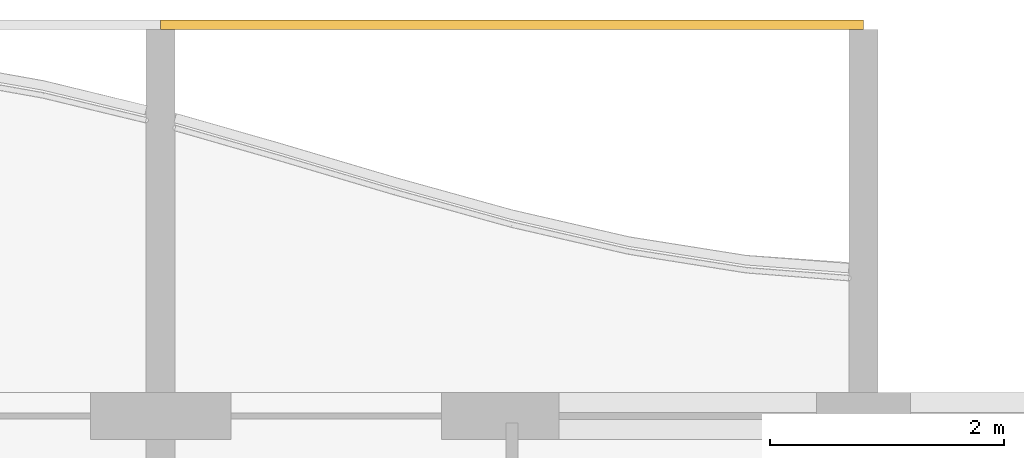
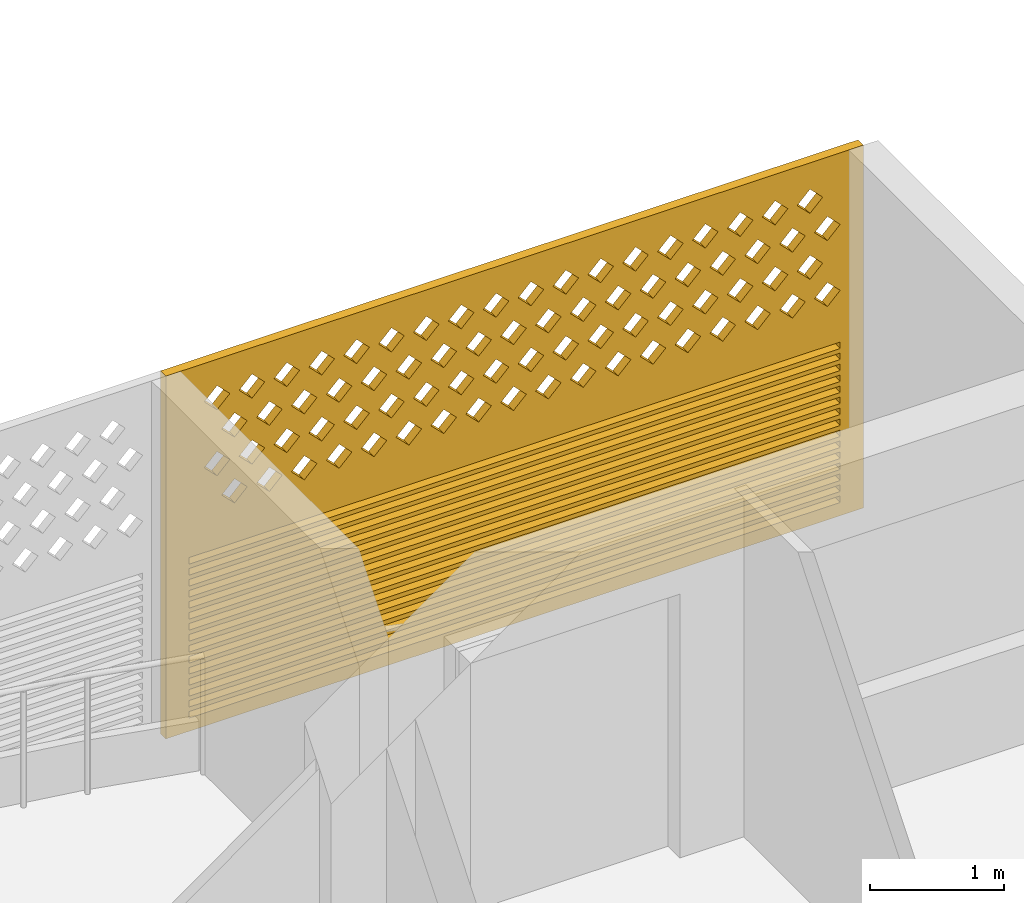
# One storey, part 21 of 27: 1 covering.
"""IFC4 building model written with IfcOpenShell, lengths in metres."""

from ifc_helpers import new_model, si_unit, direction, frame, origin, place, context, subcontext, project, spatial, polyline, outline, extrude, source, transform, mapped, material, material_profile, profile_set, type_object, element, save


model = new_model("IFC4")

# Units and contexts
model_context = context("Model", 3, precision=1e-05, world=origin(), true_north=direction((0.0, 1.0)))
body_context = subcontext(model_context, "Body", "Model", "MODEL_VIEW")
ifc_project = project(units=[si_unit("LENGTHUNIT", "METRE"), si_unit("AREAUNIT", "SQUARE_METRE"), si_unit("VOLUMEUNIT", "CUBIC_METRE"), si_unit("PLANEANGLEUNIT", "RADIAN"), si_unit("MASSUNIT", "GRAM", prefix="KILO")], contexts=[model_context])

# Site, building, storey
site_placement = place(None, origin())
site = spatial("IfcSite", under=ifc_project, at=site_placement, CompositionType="ELEMENT")
building_placement = place(site_placement, origin())
building = spatial("IfcBuilding", under=site, at=building_placement, Name="Poui Terraces", CompositionType="ELEMENT")
storey_placement = place(building_placement, frame((0.0, 0.0, 201.60009765625)))
storey = spatial("IfcBuildingStorey", under=building, at=storey_placement, Name="L56", CompositionType="ELEMENT", Elevation=201.60009765625)

# Covering
ifc_material = material(Name="Terracotta screen", Category="masonry")
ifc_material_profile = material_profile(ifc_material, outline(polyline([(-3.0, -1.64990234375), (3.0, -1.64990234375), (3.0, 1.64990234375), (-3.0, 1.64990234375), (-3.0, -1.64990234375)]), holes=[polyline([(-2.800048828125, 0.39990234375), (-2.68994140625, 0.2900390625), (-2.580078125, 0.39990234375), (-2.68994140625, 0.510009765625), (-2.800048828125, 0.39990234375)]), polyline([(-2.5, 0.39990234375), (-2.389892578125, 0.2900390625), (-2.280029296875, 0.39990234375), (-2.389892578125, 0.510009765625), (-2.5, 0.39990234375)]), polyline([(-2.199951171875, 0.39990234375), (-2.090087890625, 0.2900390625), (-1.97998046875, 0.39990234375), (-2.090087890625, 0.510009765625), (-2.199951171875, 0.39990234375)]), polyline([(-1.89990234375, 0.39990234375), (-1.7900390625, 0.2900390625), (-1.679931640625, 0.39990234375), (-1.7900390625, 0.510009765625), (-1.89990234375, 0.39990234375)]), polyline([(-1.60009765625, 0.39990234375), (-1.489990234375, 0.2900390625), (-1.3798828125, 0.39990234375), (-1.489990234375, 0.510009765625), (-1.60009765625, 0.39990234375)]), polyline([(-1.300048828125, 0.39990234375), (-1.18994140625, 0.2900390625), (-1.080078125, 0.39990234375), (-1.18994140625, 0.510009765625), (-1.300048828125, 0.39990234375)]), polyline([(-1.0, 0.39990234375), (-0.889892578125, 0.2900390625), (-0.780029296875, 0.39990234375), (-0.889892578125, 0.510009765625), (-1.0, 0.39990234375)]), polyline([(-0.699951171875, 0.39990234375), (-0.590087890625, 0.2900390625), (-0.47998046875, 0.39990234375), (-0.590087890625, 0.510009765625), (-0.699951171875, 0.39990234375)]), polyline([(-0.39990234375, 0.39990234375), (-0.2900390625, 0.2900390625), (-0.179931640625, 0.39990234375), (-0.2900390625, 0.510009765625), (-0.39990234375, 0.39990234375)]), polyline([(-0.10009765625, 0.39990234375), (0.010009765625, 0.2900390625), (0.1201171875, 0.39990234375), (0.010009765625, 0.510009765625), (-0.10009765625, 0.39990234375)]), polyline([(0.199951171875, 0.39990234375), (0.31005859375, 0.2900390625), (0.419921875, 0.39990234375), (0.31005859375, 0.510009765625), (0.199951171875, 0.39990234375)]), polyline([(0.5, 0.39990234375), (0.610107421875, 0.2900390625), (0.719970703125, 0.39990234375), (0.610107421875, 0.510009765625), (0.5, 0.39990234375)]), polyline([(0.800048828125, 0.39990234375), (0.909912109375, 0.2900390625), (1.02001953125, 0.39990234375), (0.909912109375, 0.510009765625), (0.800048828125, 0.39990234375)]), polyline([(1.10009765625, 0.39990234375), (1.2099609375, 0.2900390625), (1.320068359375, 0.39990234375), (1.2099609375, 0.510009765625), (1.10009765625, 0.39990234375)]), polyline([(1.39990234375, 0.39990234375), (1.510009765625, 0.2900390625), (1.6201171875, 0.39990234375), (1.510009765625, 0.510009765625), (1.39990234375, 0.39990234375)]), polyline([(1.699951171875, 0.39990234375), (1.81005859375, 0.2900390625), (1.919921875, 0.39990234375), (1.81005859375, 0.510009765625), (1.699951171875, 0.39990234375)]), polyline([(2.0, 0.39990234375), (2.110107421875, 0.2900390625), (2.219970703125, 0.39990234375), (2.110107421875, 0.510009765625), (2.0, 0.39990234375)]), polyline([(2.300048828125, 0.39990234375), (2.409912109375, 0.2900390625), (2.52001953125, 0.39990234375), (2.409912109375, 0.510009765625), (2.300048828125, 0.39990234375)]), polyline([(-2.64990234375, 0.699951171875), (-2.5400390625, 0.590087890625), (-2.429931640625, 0.699951171875), (-2.5400390625, 0.81005859375), (-2.64990234375, 0.699951171875)]), polyline([(-2.35009765625, 0.699951171875), (-2.239990234375, 0.590087890625), (-2.1298828125, 0.699951171875), (-2.239990234375, 0.81005859375), (-2.35009765625, 0.699951171875)]), polyline([(-2.050048828125, 0.699951171875), (-1.93994140625, 0.590087890625), (-1.830078125, 0.699951171875), (-1.93994140625, 0.81005859375), (-2.050048828125, 0.699951171875)]), polyline([(-1.75, 0.699951171875), (-1.639892578125, 0.590087890625), (-1.530029296875, 0.699951171875), (-1.639892578125, 0.81005859375), (-1.75, 0.699951171875)]), polyline([(-1.449951171875, 0.699951171875), (-1.340087890625, 0.590087890625), (-1.22998046875, 0.699951171875), (-1.340087890625, 0.81005859375), (-1.449951171875, 0.699951171875)]), polyline([(-1.14990234375, 0.699951171875), (-1.0400390625, 0.590087890625), (-0.929931640625, 0.699951171875), (-1.0400390625, 0.81005859375), (-1.14990234375, 0.699951171875)]), polyline([(-0.85009765625, 0.699951171875), (-0.739990234375, 0.590087890625), (-0.6298828125, 0.699951171875), (-0.739990234375, 0.81005859375), (-0.85009765625, 0.699951171875)]), polyline([(-0.550048828125, 0.699951171875), (-0.43994140625, 0.590087890625), (-0.330078125, 0.699951171875), (-0.43994140625, 0.81005859375), (-0.550048828125, 0.699951171875)]), polyline([(-0.25, 0.699951171875), (-0.139892578125, 0.590087890625), (-0.030029296875, 0.699951171875), (-0.139892578125, 0.81005859375), (-0.25, 0.699951171875)]), polyline([(0.050048828125, 0.699951171875), (0.159912109375, 0.590087890625), (0.27001953125, 0.699951171875), (0.159912109375, 0.81005859375), (0.050048828125, 0.699951171875)]), polyline([(0.35009765625, 0.699951171875), (0.4599609375, 0.590087890625), (0.570068359375, 0.699951171875), (0.4599609375, 0.81005859375), (0.35009765625, 0.699951171875)]), polyline([(0.64990234375, 0.699951171875), (0.760009765625, 0.590087890625), (0.8701171875, 0.699951171875), (0.760009765625, 0.81005859375), (0.64990234375, 0.699951171875)]), polyline([(0.949951171875, 0.699951171875), (1.06005859375, 0.590087890625), (1.169921875, 0.699951171875), (1.06005859375, 0.81005859375), (0.949951171875, 0.699951171875)]), polyline([(1.25, 0.699951171875), (1.360107421875, 0.590087890625), (1.469970703125, 0.699951171875), (1.360107421875, 0.81005859375), (1.25, 0.699951171875)]), polyline([(1.550048828125, 0.699951171875), (1.659912109375, 0.590087890625), (1.77001953125, 0.699951171875), (1.659912109375, 0.81005859375), (1.550048828125, 0.699951171875)]), polyline([(1.85009765625, 0.699951171875), (1.9599609375, 0.590087890625), (2.070068359375, 0.699951171875), (1.9599609375, 0.81005859375), (1.85009765625, 0.699951171875)]), polyline([(2.14990234375, 0.699951171875), (2.260009765625, 0.590087890625), (2.3701171875, 0.699951171875), (2.260009765625, 0.81005859375), (2.14990234375, 0.699951171875)]), polyline([(2.449951171875, 0.699951171875), (2.56005859375, 0.590087890625), (2.669921875, 0.699951171875), (2.56005859375, 0.81005859375), (2.449951171875, 0.699951171875)]), polyline([(-2.800048828125, 1.0), (-2.68994140625, 0.889892578125), (-2.580078125, 1.0), (-2.68994140625, 1.110107421875), (-2.800048828125, 1.0)]), polyline([(-2.5, 1.0), (-2.389892578125, 0.889892578125), (-2.280029296875, 1.0), (-2.389892578125, 1.110107421875), (-2.5, 1.0)]), polyline([(-2.199951171875, 1.0), (-2.090087890625, 0.889892578125), (-1.97998046875, 1.0), (-2.090087890625, 1.110107421875), (-2.199951171875, 1.0)]), polyline([(-1.89990234375, 1.0), (-1.7900390625, 0.889892578125), (-1.679931640625, 1.0), (-1.7900390625, 1.110107421875), (-1.89990234375, 1.0)]), polyline([(-1.60009765625, 1.0), (-1.489990234375, 0.889892578125), (-1.3798828125, 1.0), (-1.489990234375, 1.110107421875), (-1.60009765625, 1.0)]), polyline([(-1.300048828125, 1.0), (-1.18994140625, 0.889892578125), (-1.080078125, 1.0), (-1.18994140625, 1.110107421875), (-1.300048828125, 1.0)]), polyline([(-1.0, 1.0), (-0.889892578125, 0.889892578125), (-0.780029296875, 1.0), (-0.889892578125, 1.110107421875), (-1.0, 1.0)]), polyline([(-0.699951171875, 1.0), (-0.590087890625, 0.889892578125), (-0.47998046875, 1.0), (-0.590087890625, 1.110107421875), (-0.699951171875, 1.0)]), polyline([(-0.39990234375, 1.0), (-0.2900390625, 0.889892578125), (-0.179931640625, 1.0), (-0.2900390625, 1.110107421875), (-0.39990234375, 1.0)]), polyline([(-0.10009765625, 1.0), (0.010009765625, 0.889892578125), (0.1201171875, 1.0), (0.010009765625, 1.110107421875), (-0.10009765625, 1.0)]), polyline([(0.199951171875, 1.0), (0.31005859375, 0.889892578125), (0.419921875, 1.0), (0.31005859375, 1.110107421875), (0.199951171875, 1.0)]), polyline([(0.5, 1.0), (0.610107421875, 0.889892578125), (0.719970703125, 1.0), (0.610107421875, 1.110107421875), (0.5, 1.0)]), polyline([(0.800048828125, 1.0), (0.909912109375, 0.889892578125), (1.02001953125, 1.0), (0.909912109375, 1.110107421875), (0.800048828125, 1.0)]), polyline([(1.10009765625, 1.0), (1.2099609375, 0.889892578125), (1.320068359375, 1.0), (1.2099609375, 1.110107421875), (1.10009765625, 1.0)]), polyline([(1.39990234375, 1.0), (1.510009765625, 0.889892578125), (1.6201171875, 1.0), (1.510009765625, 1.110107421875), (1.39990234375, 1.0)]), polyline([(1.699951171875, 1.0), (1.81005859375, 0.889892578125), (1.919921875, 1.0), (1.81005859375, 1.110107421875), (1.699951171875, 1.0)]), polyline([(2.0, 1.0), (2.110107421875, 0.889892578125), (2.219970703125, 1.0), (2.110107421875, 1.110107421875), (2.0, 1.0)]), polyline([(2.300048828125, 1.0), (2.409912109375, 0.889892578125), (2.52001953125, 1.0), (2.409912109375, 1.110107421875), (2.300048828125, 1.0)]), polyline([(-2.64990234375, 1.300048828125), (-2.5400390625, 1.18994140625), (-2.429931640625, 1.300048828125), (-2.5400390625, 1.409912109375), (-2.64990234375, 1.300048828125)]), polyline([(-2.35009765625, 1.300048828125), (-2.239990234375, 1.18994140625), (-2.1298828125, 1.300048828125), (-2.239990234375, 1.409912109375), (-2.35009765625, 1.300048828125)]), polyline([(-2.050048828125, 1.300048828125), (-1.93994140625, 1.18994140625), (-1.830078125, 1.300048828125), (-1.93994140625, 1.409912109375), (-2.050048828125, 1.300048828125)]), polyline([(-1.75, 1.300048828125), (-1.639892578125, 1.18994140625), (-1.530029296875, 1.300048828125), (-1.639892578125, 1.409912109375), (-1.75, 1.300048828125)]), polyline([(-1.449951171875, 1.300048828125), (-1.340087890625, 1.18994140625), (-1.22998046875, 1.300048828125), (-1.340087890625, 1.409912109375), (-1.449951171875, 1.300048828125)]), polyline([(-1.14990234375, 1.300048828125), (-1.0400390625, 1.18994140625), (-0.929931640625, 1.300048828125), (-1.0400390625, 1.409912109375), (-1.14990234375, 1.300048828125)]), polyline([(-0.85009765625, 1.300048828125), (-0.739990234375, 1.18994140625), (-0.6298828125, 1.300048828125), (-0.739990234375, 1.409912109375), (-0.85009765625, 1.300048828125)]), polyline([(-0.550048828125, 1.300048828125), (-0.43994140625, 1.18994140625), (-0.330078125, 1.300048828125), (-0.43994140625, 1.409912109375), (-0.550048828125, 1.300048828125)]), polyline([(-0.25, 1.300048828125), (-0.139892578125, 1.18994140625), (-0.030029296875, 1.300048828125), (-0.139892578125, 1.409912109375), (-0.25, 1.300048828125)]), polyline([(0.050048828125, 1.300048828125), (0.159912109375, 1.18994140625), (0.27001953125, 1.300048828125), (0.159912109375, 1.409912109375), (0.050048828125, 1.300048828125)]), polyline([(0.35009765625, 1.300048828125), (0.4599609375, 1.18994140625), (0.570068359375, 1.300048828125), (0.4599609375, 1.409912109375), (0.35009765625, 1.300048828125)]), polyline([(0.64990234375, 1.300048828125), (0.760009765625, 1.18994140625), (0.8701171875, 1.300048828125), (0.760009765625, 1.409912109375), (0.64990234375, 1.300048828125)]), polyline([(0.949951171875, 1.300048828125), (1.06005859375, 1.18994140625), (1.169921875, 1.300048828125), (1.06005859375, 1.409912109375), (0.949951171875, 1.300048828125)]), polyline([(1.25, 1.300048828125), (1.360107421875, 1.18994140625), (1.469970703125, 1.300048828125), (1.360107421875, 1.409912109375), (1.25, 1.300048828125)]), polyline([(1.550048828125, 1.300048828125), (1.659912109375, 1.18994140625), (1.77001953125, 1.300048828125), (1.659912109375, 1.409912109375), (1.550048828125, 1.300048828125)]), polyline([(1.85009765625, 1.300048828125), (1.9599609375, 1.18994140625), (2.070068359375, 1.300048828125), (1.9599609375, 1.409912109375), (1.85009765625, 1.300048828125)]), polyline([(2.14990234375, 1.300048828125), (2.260009765625, 1.18994140625), (2.3701171875, 1.300048828125), (2.260009765625, 1.409912109375), (2.14990234375, 1.300048828125)]), polyline([(2.449951171875, 1.300048828125), (2.56005859375, 1.18994140625), (2.669921875, 1.300048828125), (2.56005859375, 1.409912109375), (2.449951171875, 1.300048828125)]), polyline([(-2.800048828125, -1.530029296875), (2.800048828125, -1.530029296875), (2.800048828125, -1.469970703125), (-2.800048828125, -1.469970703125), (-2.800048828125, -1.530029296875)]), polyline([(-2.800048828125, -1.429931640625), (2.800048828125, -1.429931640625), (2.800048828125, -1.3701171875), (-2.800048828125, -1.3701171875), (-2.800048828125, -1.429931640625)]), polyline([(-2.800048828125, -1.330078125), (2.800048828125, -1.330078125), (2.800048828125, -1.27001953125), (-2.800048828125, -1.27001953125), (-2.800048828125, -1.330078125)]), polyline([(-2.800048828125, -1.22998046875), (2.800048828125, -1.22998046875), (2.800048828125, -1.169921875), (-2.800048828125, -1.169921875), (-2.800048828125, -1.22998046875)]), polyline([(-2.800048828125, -1.1298828125), (2.800048828125, -1.1298828125), (2.800048828125, -1.070068359375), (-2.800048828125, -1.070068359375), (-2.800048828125, -1.1298828125)]), polyline([(-2.800048828125, -1.030029296875), (2.800048828125, -1.030029296875), (2.800048828125, -0.969970703125), (-2.800048828125, -0.969970703125), (-2.800048828125, -1.030029296875)]), polyline([(-2.800048828125, -0.929931640625), (2.800048828125, -0.929931640625), (2.800048828125, -0.8701171875), (-2.800048828125, -0.8701171875), (-2.800048828125, -0.929931640625)]), polyline([(-2.800048828125, -0.830078125), (2.800048828125, -0.830078125), (2.800048828125, -0.77001953125), (-2.800048828125, -0.77001953125), (-2.800048828125, -0.830078125)]), polyline([(-2.800048828125, -0.72998046875), (2.800048828125, -0.72998046875), (2.800048828125, -0.669921875), (-2.800048828125, -0.669921875), (-2.800048828125, -0.72998046875)]), polyline([(-2.800048828125, -0.6298828125), (2.800048828125, -0.6298828125), (2.800048828125, -0.570068359375), (-2.800048828125, -0.570068359375), (-2.800048828125, -0.6298828125)]), polyline([(-2.800048828125, -0.530029296875), (2.800048828125, -0.530029296875), (2.800048828125, -0.469970703125), (-2.800048828125, -0.469970703125), (-2.800048828125, -0.530029296875)]), polyline([(-2.800048828125, -0.429931640625), (2.800048828125, -0.429931640625), (2.800048828125, -0.3701171875), (-2.800048828125, -0.3701171875), (-2.800048828125, -0.429931640625)]), polyline([(-2.800048828125, -0.330078125), (2.800048828125, -0.330078125), (2.800048828125, -0.27001953125), (-2.800048828125, -0.27001953125), (-2.800048828125, -0.330078125)]), polyline([(-2.800048828125, -0.22998046875), (2.800048828125, -0.22998046875), (2.800048828125, -0.169921875), (-2.800048828125, -0.169921875), (-2.800048828125, -0.22998046875)]), polyline([(-2.800048828125, -0.1298828125), (2.800048828125, -0.1298828125), (2.800048828125, -0.070068359375), (-2.800048828125, -0.070068359375), (-2.800048828125, -0.1298828125)])]), Name="TERRACOTTA SCREEN AND JALOUSIE LOUVRE 6000X3300")
ifc_profile_set = profile_set([ifc_material_profile], Name="Terracotta screen")
covering_type = type_object("IfcCoveringType", Name="TERRACOTTA SCREEN AND JALOUSIE LOUVRE 6000X3300", PredefinedType="CLADDING", material=ifc_profile_set)
shared_shape = source(origin(), body_context, "Body", "SweptSolid", [
    extrude(outline(polyline([(-3.0, -1.64990234375), (3.0, -1.64990234375), (3.0, 1.64990234375), (-3.0, 1.64990234375), (-3.0, -1.64990234375)]), holes=[polyline([(-2.800048828125, 0.39990234375), (-2.68994140625, 0.2900390625), (-2.580078125, 0.39990234375), (-2.68994140625, 0.510009765625), (-2.800048828125, 0.39990234375)]), polyline([(-2.5, 0.39990234375), (-2.389892578125, 0.2900390625), (-2.280029296875, 0.39990234375), (-2.389892578125, 0.510009765625), (-2.5, 0.39990234375)]), polyline([(-2.199951171875, 0.39990234375), (-2.090087890625, 0.2900390625), (-1.97998046875, 0.39990234375), (-2.090087890625, 0.510009765625), (-2.199951171875, 0.39990234375)]), polyline([(-1.89990234375, 0.39990234375), (-1.7900390625, 0.2900390625), (-1.679931640625, 0.39990234375), (-1.7900390625, 0.510009765625), (-1.89990234375, 0.39990234375)]), polyline([(-1.60009765625, 0.39990234375), (-1.489990234375, 0.2900390625), (-1.3798828125, 0.39990234375), (-1.489990234375, 0.510009765625), (-1.60009765625, 0.39990234375)]), polyline([(-1.300048828125, 0.39990234375), (-1.18994140625, 0.2900390625), (-1.080078125, 0.39990234375), (-1.18994140625, 0.510009765625), (-1.300048828125, 0.39990234375)]), polyline([(-1.0, 0.39990234375), (-0.889892578125, 0.2900390625), (-0.780029296875, 0.39990234375), (-0.889892578125, 0.510009765625), (-1.0, 0.39990234375)]), polyline([(-0.699951171875, 0.39990234375), (-0.590087890625, 0.2900390625), (-0.47998046875, 0.39990234375), (-0.590087890625, 0.510009765625), (-0.699951171875, 0.39990234375)]), polyline([(-0.39990234375, 0.39990234375), (-0.2900390625, 0.2900390625), (-0.179931640625, 0.39990234375), (-0.2900390625, 0.510009765625), (-0.39990234375, 0.39990234375)]), polyline([(-0.10009765625, 0.39990234375), (0.010009765625, 0.2900390625), (0.1201171875, 0.39990234375), (0.010009765625, 0.510009765625), (-0.10009765625, 0.39990234375)]), polyline([(0.199951171875, 0.39990234375), (0.31005859375, 0.2900390625), (0.419921875, 0.39990234375), (0.31005859375, 0.510009765625), (0.199951171875, 0.39990234375)]), polyline([(0.5, 0.39990234375), (0.610107421875, 0.2900390625), (0.719970703125, 0.39990234375), (0.610107421875, 0.510009765625), (0.5, 0.39990234375)]), polyline([(0.800048828125, 0.39990234375), (0.909912109375, 0.2900390625), (1.02001953125, 0.39990234375), (0.909912109375, 0.510009765625), (0.800048828125, 0.39990234375)]), polyline([(1.10009765625, 0.39990234375), (1.2099609375, 0.2900390625), (1.320068359375, 0.39990234375), (1.2099609375, 0.510009765625), (1.10009765625, 0.39990234375)]), polyline([(1.39990234375, 0.39990234375), (1.510009765625, 0.2900390625), (1.6201171875, 0.39990234375), (1.510009765625, 0.510009765625), (1.39990234375, 0.39990234375)]), polyline([(1.699951171875, 0.39990234375), (1.81005859375, 0.2900390625), (1.919921875, 0.39990234375), (1.81005859375, 0.510009765625), (1.699951171875, 0.39990234375)]), polyline([(2.0, 0.39990234375), (2.110107421875, 0.2900390625), (2.219970703125, 0.39990234375), (2.110107421875, 0.510009765625), (2.0, 0.39990234375)]), polyline([(2.300048828125, 0.39990234375), (2.409912109375, 0.2900390625), (2.52001953125, 0.39990234375), (2.409912109375, 0.510009765625), (2.300048828125, 0.39990234375)]), polyline([(-2.64990234375, 0.699951171875), (-2.5400390625, 0.590087890625), (-2.429931640625, 0.699951171875), (-2.5400390625, 0.81005859375), (-2.64990234375, 0.699951171875)]), polyline([(-2.35009765625, 0.699951171875), (-2.239990234375, 0.590087890625), (-2.1298828125, 0.699951171875), (-2.239990234375, 0.81005859375), (-2.35009765625, 0.699951171875)]), polyline([(-2.050048828125, 0.699951171875), (-1.93994140625, 0.590087890625), (-1.830078125, 0.699951171875), (-1.93994140625, 0.81005859375), (-2.050048828125, 0.699951171875)]), polyline([(-1.75, 0.699951171875), (-1.639892578125, 0.590087890625), (-1.530029296875, 0.699951171875), (-1.639892578125, 0.81005859375), (-1.75, 0.699951171875)]), polyline([(-1.449951171875, 0.699951171875), (-1.340087890625, 0.590087890625), (-1.22998046875, 0.699951171875), (-1.340087890625, 0.81005859375), (-1.449951171875, 0.699951171875)]), polyline([(-1.14990234375, 0.699951171875), (-1.0400390625, 0.590087890625), (-0.929931640625, 0.699951171875), (-1.0400390625, 0.81005859375), (-1.14990234375, 0.699951171875)]), polyline([(-0.85009765625, 0.699951171875), (-0.739990234375, 0.590087890625), (-0.6298828125, 0.699951171875), (-0.739990234375, 0.81005859375), (-0.85009765625, 0.699951171875)]), polyline([(-0.550048828125, 0.699951171875), (-0.43994140625, 0.590087890625), (-0.330078125, 0.699951171875), (-0.43994140625, 0.81005859375), (-0.550048828125, 0.699951171875)]), polyline([(-0.25, 0.699951171875), (-0.139892578125, 0.590087890625), (-0.030029296875, 0.699951171875), (-0.139892578125, 0.81005859375), (-0.25, 0.699951171875)]), polyline([(0.050048828125, 0.699951171875), (0.159912109375, 0.590087890625), (0.27001953125, 0.699951171875), (0.159912109375, 0.81005859375), (0.050048828125, 0.699951171875)]), polyline([(0.35009765625, 0.699951171875), (0.4599609375, 0.590087890625), (0.570068359375, 0.699951171875), (0.4599609375, 0.81005859375), (0.35009765625, 0.699951171875)]), polyline([(0.64990234375, 0.699951171875), (0.760009765625, 0.590087890625), (0.8701171875, 0.699951171875), (0.760009765625, 0.81005859375), (0.64990234375, 0.699951171875)]), polyline([(0.949951171875, 0.699951171875), (1.06005859375, 0.590087890625), (1.169921875, 0.699951171875), (1.06005859375, 0.81005859375), (0.949951171875, 0.699951171875)]), polyline([(1.25, 0.699951171875), (1.360107421875, 0.590087890625), (1.469970703125, 0.699951171875), (1.360107421875, 0.81005859375), (1.25, 0.699951171875)]), polyline([(1.550048828125, 0.699951171875), (1.659912109375, 0.590087890625), (1.77001953125, 0.699951171875), (1.659912109375, 0.81005859375), (1.550048828125, 0.699951171875)]), polyline([(1.85009765625, 0.699951171875), (1.9599609375, 0.590087890625), (2.070068359375, 0.699951171875), (1.9599609375, 0.81005859375), (1.85009765625, 0.699951171875)]), polyline([(2.14990234375, 0.699951171875), (2.260009765625, 0.590087890625), (2.3701171875, 0.699951171875), (2.260009765625, 0.81005859375), (2.14990234375, 0.699951171875)]), polyline([(2.449951171875, 0.699951171875), (2.56005859375, 0.590087890625), (2.669921875, 0.699951171875), (2.56005859375, 0.81005859375), (2.449951171875, 0.699951171875)]), polyline([(-2.800048828125, 1.0), (-2.68994140625, 0.889892578125), (-2.580078125, 1.0), (-2.68994140625, 1.110107421875), (-2.800048828125, 1.0)]), polyline([(-2.5, 1.0), (-2.389892578125, 0.889892578125), (-2.280029296875, 1.0), (-2.389892578125, 1.110107421875), (-2.5, 1.0)]), polyline([(-2.199951171875, 1.0), (-2.090087890625, 0.889892578125), (-1.97998046875, 1.0), (-2.090087890625, 1.110107421875), (-2.199951171875, 1.0)]), polyline([(-1.89990234375, 1.0), (-1.7900390625, 0.889892578125), (-1.679931640625, 1.0), (-1.7900390625, 1.110107421875), (-1.89990234375, 1.0)]), polyline([(-1.60009765625, 1.0), (-1.489990234375, 0.889892578125), (-1.3798828125, 1.0), (-1.489990234375, 1.110107421875), (-1.60009765625, 1.0)]), polyline([(-1.300048828125, 1.0), (-1.18994140625, 0.889892578125), (-1.080078125, 1.0), (-1.18994140625, 1.110107421875), (-1.300048828125, 1.0)]), polyline([(-1.0, 1.0), (-0.889892578125, 0.889892578125), (-0.780029296875, 1.0), (-0.889892578125, 1.110107421875), (-1.0, 1.0)]), polyline([(-0.699951171875, 1.0), (-0.590087890625, 0.889892578125), (-0.47998046875, 1.0), (-0.590087890625, 1.110107421875), (-0.699951171875, 1.0)]), polyline([(-0.39990234375, 1.0), (-0.2900390625, 0.889892578125), (-0.179931640625, 1.0), (-0.2900390625, 1.110107421875), (-0.39990234375, 1.0)]), polyline([(-0.10009765625, 1.0), (0.010009765625, 0.889892578125), (0.1201171875, 1.0), (0.010009765625, 1.110107421875), (-0.10009765625, 1.0)]), polyline([(0.199951171875, 1.0), (0.31005859375, 0.889892578125), (0.419921875, 1.0), (0.31005859375, 1.110107421875), (0.199951171875, 1.0)]), polyline([(0.5, 1.0), (0.610107421875, 0.889892578125), (0.719970703125, 1.0), (0.610107421875, 1.110107421875), (0.5, 1.0)]), polyline([(0.800048828125, 1.0), (0.909912109375, 0.889892578125), (1.02001953125, 1.0), (0.909912109375, 1.110107421875), (0.800048828125, 1.0)]), polyline([(1.10009765625, 1.0), (1.2099609375, 0.889892578125), (1.320068359375, 1.0), (1.2099609375, 1.110107421875), (1.10009765625, 1.0)]), polyline([(1.39990234375, 1.0), (1.510009765625, 0.889892578125), (1.6201171875, 1.0), (1.510009765625, 1.110107421875), (1.39990234375, 1.0)]), polyline([(1.699951171875, 1.0), (1.81005859375, 0.889892578125), (1.919921875, 1.0), (1.81005859375, 1.110107421875), (1.699951171875, 1.0)]), polyline([(2.0, 1.0), (2.110107421875, 0.889892578125), (2.219970703125, 1.0), (2.110107421875, 1.110107421875), (2.0, 1.0)]), polyline([(2.300048828125, 1.0), (2.409912109375, 0.889892578125), (2.52001953125, 1.0), (2.409912109375, 1.110107421875), (2.300048828125, 1.0)]), polyline([(-2.64990234375, 1.300048828125), (-2.5400390625, 1.18994140625), (-2.429931640625, 1.300048828125), (-2.5400390625, 1.409912109375), (-2.64990234375, 1.300048828125)]), polyline([(-2.35009765625, 1.300048828125), (-2.239990234375, 1.18994140625), (-2.1298828125, 1.300048828125), (-2.239990234375, 1.409912109375), (-2.35009765625, 1.300048828125)]), polyline([(-2.050048828125, 1.300048828125), (-1.93994140625, 1.18994140625), (-1.830078125, 1.300048828125), (-1.93994140625, 1.409912109375), (-2.050048828125, 1.300048828125)]), polyline([(-1.75, 1.300048828125), (-1.639892578125, 1.18994140625), (-1.530029296875, 1.300048828125), (-1.639892578125, 1.409912109375), (-1.75, 1.300048828125)]), polyline([(-1.449951171875, 1.300048828125), (-1.340087890625, 1.18994140625), (-1.22998046875, 1.300048828125), (-1.340087890625, 1.409912109375), (-1.449951171875, 1.300048828125)]), polyline([(-1.14990234375, 1.300048828125), (-1.0400390625, 1.18994140625), (-0.929931640625, 1.300048828125), (-1.0400390625, 1.409912109375), (-1.14990234375, 1.300048828125)]), polyline([(-0.85009765625, 1.300048828125), (-0.739990234375, 1.18994140625), (-0.6298828125, 1.300048828125), (-0.739990234375, 1.409912109375), (-0.85009765625, 1.300048828125)]), polyline([(-0.550048828125, 1.300048828125), (-0.43994140625, 1.18994140625), (-0.330078125, 1.300048828125), (-0.43994140625, 1.409912109375), (-0.550048828125, 1.300048828125)]), polyline([(-0.25, 1.300048828125), (-0.139892578125, 1.18994140625), (-0.030029296875, 1.300048828125), (-0.139892578125, 1.409912109375), (-0.25, 1.300048828125)]), polyline([(0.050048828125, 1.300048828125), (0.159912109375, 1.18994140625), (0.27001953125, 1.300048828125), (0.159912109375, 1.409912109375), (0.050048828125, 1.300048828125)]), polyline([(0.35009765625, 1.300048828125), (0.4599609375, 1.18994140625), (0.570068359375, 1.300048828125), (0.4599609375, 1.409912109375), (0.35009765625, 1.300048828125)]), polyline([(0.64990234375, 1.300048828125), (0.760009765625, 1.18994140625), (0.8701171875, 1.300048828125), (0.760009765625, 1.409912109375), (0.64990234375, 1.300048828125)]), polyline([(0.949951171875, 1.300048828125), (1.06005859375, 1.18994140625), (1.169921875, 1.300048828125), (1.06005859375, 1.409912109375), (0.949951171875, 1.300048828125)]), polyline([(1.25, 1.300048828125), (1.360107421875, 1.18994140625), (1.469970703125, 1.300048828125), (1.360107421875, 1.409912109375), (1.25, 1.300048828125)]), polyline([(1.550048828125, 1.300048828125), (1.659912109375, 1.18994140625), (1.77001953125, 1.300048828125), (1.659912109375, 1.409912109375), (1.550048828125, 1.300048828125)]), polyline([(1.85009765625, 1.300048828125), (1.9599609375, 1.18994140625), (2.070068359375, 1.300048828125), (1.9599609375, 1.409912109375), (1.85009765625, 1.300048828125)]), polyline([(2.14990234375, 1.300048828125), (2.260009765625, 1.18994140625), (2.3701171875, 1.300048828125), (2.260009765625, 1.409912109375), (2.14990234375, 1.300048828125)]), polyline([(2.449951171875, 1.300048828125), (2.56005859375, 1.18994140625), (2.669921875, 1.300048828125), (2.56005859375, 1.409912109375), (2.449951171875, 1.300048828125)]), polyline([(-2.800048828125, -1.530029296875), (2.800048828125, -1.530029296875), (2.800048828125, -1.469970703125), (-2.800048828125, -1.469970703125), (-2.800048828125, -1.530029296875)]), polyline([(-2.800048828125, -1.429931640625), (2.800048828125, -1.429931640625), (2.800048828125, -1.3701171875), (-2.800048828125, -1.3701171875), (-2.800048828125, -1.429931640625)]), polyline([(-2.800048828125, -1.330078125), (2.800048828125, -1.330078125), (2.800048828125, -1.27001953125), (-2.800048828125, -1.27001953125), (-2.800048828125, -1.330078125)]), polyline([(-2.800048828125, -1.22998046875), (2.800048828125, -1.22998046875), (2.800048828125, -1.169921875), (-2.800048828125, -1.169921875), (-2.800048828125, -1.22998046875)]), polyline([(-2.800048828125, -1.1298828125), (2.800048828125, -1.1298828125), (2.800048828125, -1.070068359375), (-2.800048828125, -1.070068359375), (-2.800048828125, -1.1298828125)]), polyline([(-2.800048828125, -1.030029296875), (2.800048828125, -1.030029296875), (2.800048828125, -0.969970703125), (-2.800048828125, -0.969970703125), (-2.800048828125, -1.030029296875)]), polyline([(-2.800048828125, -0.929931640625), (2.800048828125, -0.929931640625), (2.800048828125, -0.8701171875), (-2.800048828125, -0.8701171875), (-2.800048828125, -0.929931640625)]), polyline([(-2.800048828125, -0.830078125), (2.800048828125, -0.830078125), (2.800048828125, -0.77001953125), (-2.800048828125, -0.77001953125), (-2.800048828125, -0.830078125)]), polyline([(-2.800048828125, -0.72998046875), (2.800048828125, -0.72998046875), (2.800048828125, -0.669921875), (-2.800048828125, -0.669921875), (-2.800048828125, -0.72998046875)]), polyline([(-2.800048828125, -0.6298828125), (2.800048828125, -0.6298828125), (2.800048828125, -0.570068359375), (-2.800048828125, -0.570068359375), (-2.800048828125, -0.6298828125)]), polyline([(-2.800048828125, -0.530029296875), (2.800048828125, -0.530029296875), (2.800048828125, -0.469970703125), (-2.800048828125, -0.469970703125), (-2.800048828125, -0.530029296875)]), polyline([(-2.800048828125, -0.429931640625), (2.800048828125, -0.429931640625), (2.800048828125, -0.3701171875), (-2.800048828125, -0.3701171875), (-2.800048828125, -0.429931640625)]), polyline([(-2.800048828125, -0.330078125), (2.800048828125, -0.330078125), (2.800048828125, -0.27001953125), (-2.800048828125, -0.27001953125), (-2.800048828125, -0.330078125)]), polyline([(-2.800048828125, -0.22998046875), (2.800048828125, -0.22998046875), (2.800048828125, -0.169921875), (-2.800048828125, -0.169921875), (-2.800048828125, -0.22998046875)]), polyline([(-2.800048828125, -0.1298828125), (2.800048828125, -0.1298828125), (2.800048828125, -0.070068359375), (-2.800048828125, -0.070068359375), (-2.800048828125, -0.1298828125)])]), origin(), (0.0, 0.0, 1.0), 0.080078125),
])
covering_placement = place(storey_placement, frame((39.0, 44.5, 1.449951171875), z_axis=(0.0, 1.0, 0.0), x_axis=(-1.0, 0.0, 0.0)))
element("IfcCovering", 1, at=covering_placement, inside=storey, type_object=covering_type, Name="SOLAR SCREEN AND JALOUSIE LOUVRE", PredefinedType="CLADDING", context=body_context, shape_type="MappedRepresentation", body=[
    mapped(shared_shape, transform((0.0, 0.0, 0.0))),
])

save(model, "model.ifc")
